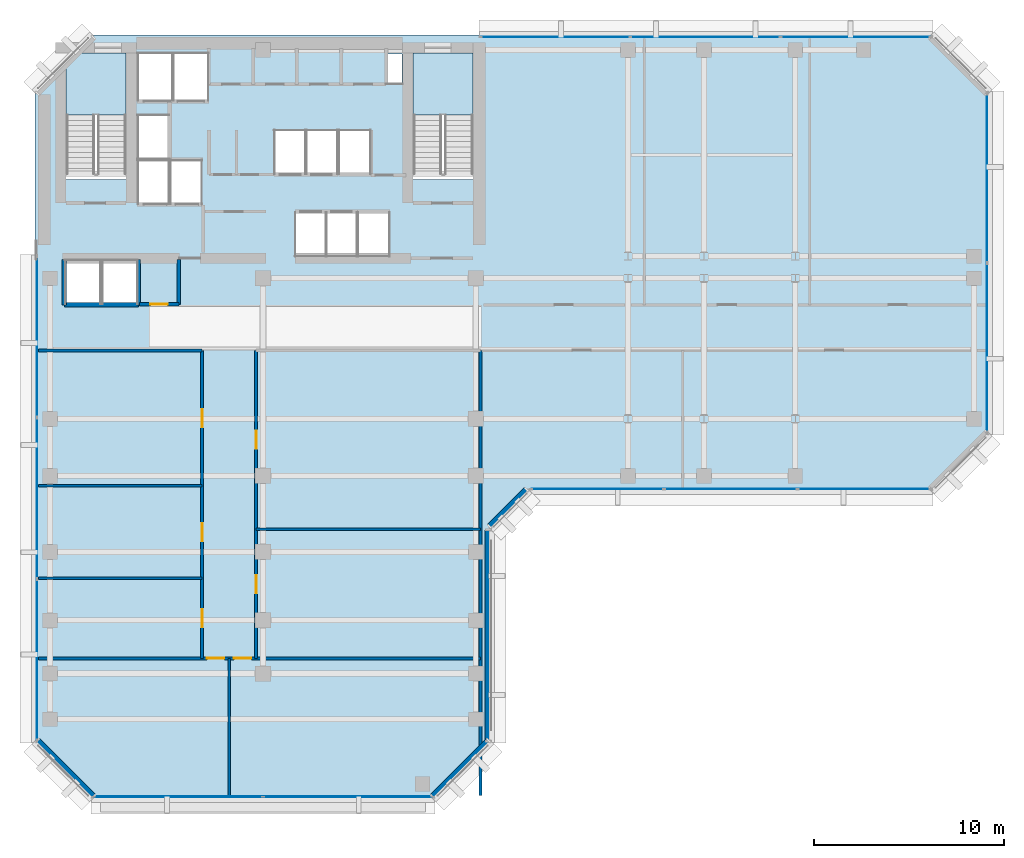
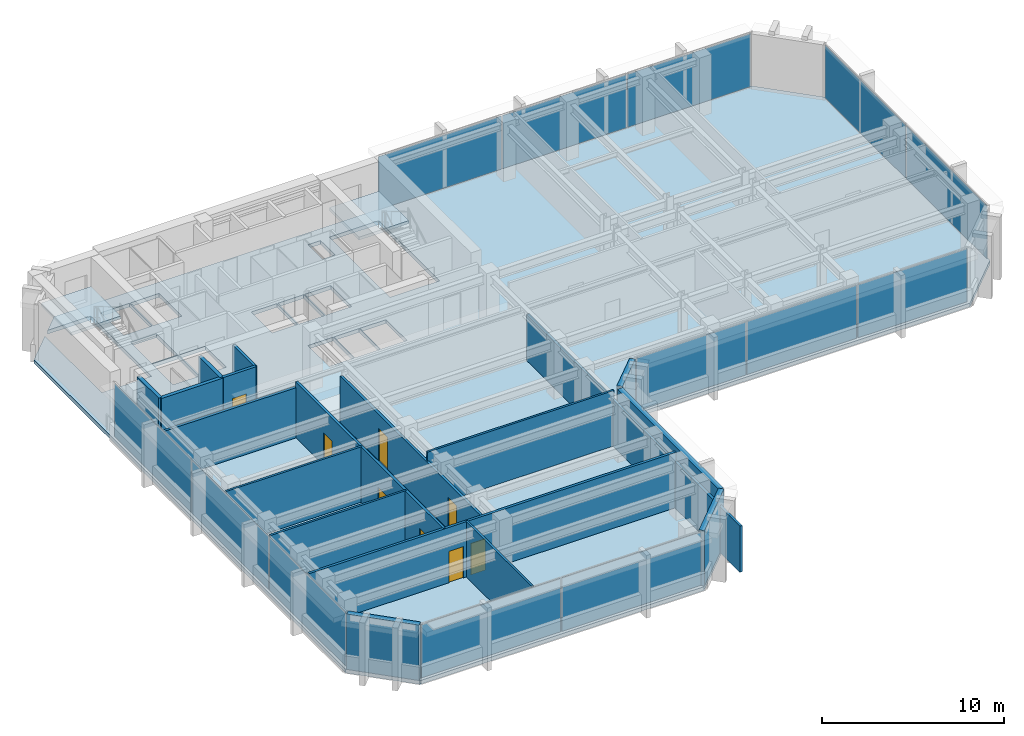
# One storey, part 6 of 12: 18 walls, 13 plates, 8 doors, 3 slabs, 8 openings, 7 elements without a shape of their own.
"""IFC4 building model written with IfcOpenShell, lengths in metres."""

from ifc_helpers import new_model, si_unit, direction, frame, frame_2d, origin, origin_2d, place, context, subcontext, project, spatial, polyline, rectangle, outline, extrude, material, layer, layer_set, type_object, element, fill, aggregate, save


model = new_model("IFC4")

# Units and contexts
model_context = context("Model", 3, precision=1e-05, world=origin(), true_north=direction((0.0, 1.0)))
body_context = subcontext(model_context, "Body", "Model", "MODEL_VIEW")
ifc_project = project(units=[si_unit("LENGTHUNIT", "METRE"), si_unit("AREAUNIT", "SQUARE_METRE"), si_unit("VOLUMEUNIT", "CUBIC_METRE"), si_unit("PLANEANGLEUNIT", "RADIAN"), si_unit("MASSUNIT", "GRAM", prefix="KILO")], contexts=[model_context])

# Site, building, storey
site_placement = place(None, origin())
site = spatial("IfcSite", under=ifc_project, at=site_placement, CompositionType="ELEMENT")
building_placement = place(site_placement, origin())
building = spatial("IfcBuilding", under=site, at=building_placement, Name="Kefirva Bronze Tower", CompositionType="ELEMENT")
storey_placement = place(building_placement, frame((0.0, 0.0, 203.280029296875)))
storey = spatial("IfcBuildingStorey", under=building, at=storey_placement, Name="L49", CompositionType="ELEMENT", Elevation=203.280029296875)

# Stair, slab
ifc_material_1 = material(Name="Concrete C40/50", Category="concrete")
stair_type = type_object("IfcStairType", Name="RC Dogleg Protected Stair 24R", PredefinedType="HALF_TURN_STAIR", material=ifc_material_1)
stair_1_placement = place(storey_placement, origin())
stair_1 = element("IfcStair", 1, at=stair_1_placement, inside=storey, type_object=stair_type, Name="L49 Protected Exit Stair 1", PredefinedType="HALF_TURN_STAIR")
ifc_layer_1 = layer(ifc_material_1, 0.199951171875, Name="Concrete C40/50")
ifc_layer_set_1 = layer_set([ifc_layer_1], Name="Concrete C40/50")
slab_type_1 = type_object("IfcSlabType", Name="RC Stair Landing Slab 200mm", PredefinedType="LANDING", material=ifc_layer_set_1)
slab_1_placement = place(storey_placement, frame((0.0, 0.0, 1.780029296875)))
slab_1 = element("IfcSlab", 2, at=slab_1_placement, type_object=slab_type_1, Name="ST-1 landing 1", PredefinedType="LANDING", context=body_context, shape_type="SweptSolid", body=[
    extrude(outline(polyline([(4.800048828125, 41.780029296875), (4.800048828125, 45.050048828125), (1.64990234375, 45.050048828125), (1.64990234375, 41.780029296875), (4.800048828125, 41.780029296875)])), origin(), (0.0, 0.0, 1.0), 0.199951171875),
])
aggregate(stair_1, [slab_1])

stair_2_placement = place(storey_placement, origin())
stair_2 = element("IfcStair", 3, at=stair_2_placement, inside=storey, type_object=stair_type, Name="L49 Protected Exit Stair 2", PredefinedType="HALF_TURN_STAIR")
slab_2_placement = place(storey_placement, frame((0.0, 0.0, 1.780029296875)))
slab_2 = element("IfcSlab", 4, at=slab_2_placement, type_object=slab_type_1, Name="ST-2 landing 1", PredefinedType="LANDING", context=body_context, shape_type="SweptSolid", body=[
    extrude(outline(polyline([(23.050048828125, 41.780029296875), (23.050048828125, 45.050048828125), (19.89990234375, 45.050048828125), (19.89990234375, 41.780029296875), (23.050048828125, 41.780029296875)])), origin(), (0.0, 0.0, 1.0), 0.199951171875),
])
aggregate(stair_2, [slab_2])

# Slab
ifc_layer_2 = layer(ifc_material_1, 0.25, Name="Concrete C40/50")
ifc_layer_set_2 = layer_set([ifc_layer_2], Name="Concrete C40/50")
slab_type_2 = type_object("IfcSlabType", Name="RC Tower Floor Slab 250mm", PredefinedType="FLOOR", material=ifc_layer_set_2)
slab_3_placement = place(storey_placement, frame((0.0, 0.0, -0.25)))
element("IfcSlab", 5, at=slab_3_placement, inside=storey, type_object=slab_type_2, Name="L49 Structural Floor Slab", PredefinedType="FLOOR", context=body_context, shape_type="SweptSolid", body=[
    extrude(outline(polyline([(0.0, 8.800048828125), (0.0, 43.0), (1.64990234375, 44.64990234375), (1.64990234375, 38.39990234375), (4.800048828125, 38.39990234375), (4.800048828125, 45.050048828125), (2.050048828125, 45.050048828125), (3.0, 46.0), (47.199951171875, 46.0), (50.199951171875, 43.0), (50.199951171875, 25.0), (47.199951171875, 22.0), (26.0, 22.0), (24.0, 20.0), (24.0, 8.800048828125), (21.0, 5.800048828125), (3.0, 5.800048828125), (0.0, 8.800048828125)]), holes=[polyline([(23.050048828125, 38.39990234375), (23.050048828125, 45.050048828125), (19.89990234375, 45.050048828125), (19.89990234375, 38.39990234375), (23.050048828125, 38.39990234375)]), polyline([(19.320068359375, 43.419921875), (19.320068359375, 45.0), (18.52001953125, 45.0), (18.52001953125, 43.419921875), (19.320068359375, 43.419921875)]), polyline([(18.64990234375, 34.35009765625), (18.64990234375, 36.64990234375), (17.0, 36.64990234375), (17.0, 34.35009765625), (18.64990234375, 34.35009765625)]), polyline([(17.64990234375, 38.679931640625), (17.64990234375, 40.97998046875), (16.0, 40.97998046875), (16.0, 38.679931640625), (17.64990234375, 38.679931640625)]), polyline([(16.949951171875, 34.35009765625), (16.949951171875, 36.64990234375), (15.35009765625, 36.64990234375), (15.35009765625, 34.35009765625), (16.949951171875, 34.35009765625)]), polyline([(15.929931640625, 38.679931640625), (15.929931640625, 40.97998046875), (14.300048828125, 40.97998046875), (14.300048828125, 38.679931640625), (15.929931640625, 38.679931640625)]), polyline([(15.300048828125, 34.35009765625), (15.300048828125, 36.64990234375), (13.699951171875, 36.64990234375), (13.699951171875, 34.35009765625), (15.300048828125, 34.35009765625)]), polyline([(14.22998046875, 38.679931640625), (14.22998046875, 40.97998046875), (12.60009765625, 40.97998046875), (12.60009765625, 38.679931640625), (14.22998046875, 38.679931640625)]), polyline([(9.1201171875, 42.550048828125), (9.1201171875, 45.050048828125), (7.300048828125, 45.050048828125), (7.300048828125, 42.550048828125), (9.1201171875, 42.550048828125)]), polyline([(8.780029296875, 37.10009765625), (8.780029296875, 39.39990234375), (7.139892578125, 39.39990234375), (7.139892578125, 37.10009765625), (8.780029296875, 37.10009765625)]), polyline([(7.239990234375, 42.550048828125), (7.239990234375, 45.050048828125), (5.419921875, 45.050048828125), (5.419921875, 42.550048828125), (7.239990234375, 42.550048828125)]), polyline([(7.06005859375, 37.10009765625), (7.06005859375, 39.39990234375), (5.419921875, 39.39990234375), (5.419921875, 37.10009765625), (7.06005859375, 37.10009765625)]), polyline([(7.06005859375, 39.47998046875), (7.06005859375, 41.780029296875), (5.419921875, 41.780029296875), (5.419921875, 39.47998046875), (7.06005859375, 39.47998046875)]), polyline([(5.39990234375, 31.85009765625), (5.39990234375, 34.14990234375), (3.550048828125, 34.14990234375), (3.550048828125, 31.85009765625), (5.39990234375, 31.85009765625)]), polyline([(3.449951171875, 31.85009765625), (3.449951171875, 34.14990234375), (1.60009765625, 34.14990234375), (1.60009765625, 31.85009765625), (3.449951171875, 31.85009765625)])]), origin(), (0.0, 0.0, 1.0), 0.25),
])

# Curtain wall, plates
ifc_material_2 = material(Name="Bronze anodised aluminium", Category="aluminium")
ifc_layer_3 = layer(ifc_material_2, 0.179931640625, Name="Bronze anodised aluminium")
ifc_layer_set_3 = layer_set([ifc_layer_3], Name="Bronze anodised aluminium")
curtain_wall_type = type_object("IfcCurtainWallType", Name="Unitised Bronze Ribbon Curtain Wall Zone 3", PredefinedType="USERDEFINED", material=ifc_layer_set_3)
curtain_wall_1_placement = place(storey_placement, origin())
curtain_wall_1 = element("IfcCurtainWall", 6, at=curtain_wall_1_placement, inside=storey, type_object=curtain_wall_type, Name="L49 Curtain Wall 1", ObjectType="UNITISED CURTAIN WALL", PredefinedType="USERDEFINED")
ifc_material_3 = material(Name="Laminated low-E double glazing", Category="glass")
ifc_layer_4 = layer(ifc_material_3, 0.031982421875, Name="Laminated low-E double glazing")
ifc_layer_set_4 = layer_set([ifc_layer_4], Name="Laminated low-E double glazing")
plate_type = type_object("IfcPlateType", Name="Solar-Control Low-E Vision Panel 32mm", PredefinedType="CURTAIN_PANEL", material=ifc_layer_set_4)
plate_1_placement = place(storey_placement, frame((7.546142578125, 5.919921875, 0.074951171875), z_axis=(0.0, 0.0, 1.0), x_axis=(1.0, 0.0, 0.0)))
plate_1 = element("IfcPlate", 7, at=plate_1_placement, type_object=plate_type, Name="CW-03 panel 1.1", PredefinedType="CURTAIN_PANEL", context=body_context, shape_type="SweptSolid", body=[
    extrude(rectangle(XDim=8.83251953125, YDim=0.031982421875, at=origin_2d()), origin(), (0.0, 0.0, 1.0), 3.56005859375),
])
plate_2_placement = place(storey_placement, frame((16.453857421875, 5.919921875, 0.074951171875), z_axis=(0.0, 0.0, 1.0), x_axis=(1.0, 0.0, 0.0)))
plate_2 = element("IfcPlate", 8, at=plate_2_placement, type_object=plate_type, Name="CW-03 panel 2.1", PredefinedType="CURTAIN_PANEL", context=body_context, shape_type="SweptSolid", body=[
    extrude(rectangle(XDim=8.83251953125, YDim=0.031982421875, at=origin_2d()), origin(), (0.0, 0.0, 1.0), 3.56005859375),
])
aggregate(curtain_wall_1, [plate_1, plate_2])

curtain_wall_2_placement = place(storey_placement, origin())
curtain_wall_2 = element("IfcCurtainWall", 9, at=curtain_wall_2_placement, inside=storey, type_object=curtain_wall_type, Name="L49 Curtain Wall 2", ObjectType="UNITISED CURTAIN WALL", PredefinedType="USERDEFINED")
plate_3_placement = place(storey_placement, frame((29.5888671875, 22.1201171875, 0.074951171875), z_axis=(0.0, 0.0, 1.0), x_axis=(1.0, 0.0, 0.0)))
plate_3 = element("IfcPlate", 10, at=plate_3_placement, type_object=plate_type, Name="CW-03 panel 1.1", PredefinedType="CURTAIN_PANEL", context=body_context, shape_type="SweptSolid", body=[
    extrude(rectangle(XDim=6.91748046875, YDim=0.031982421875, at=origin_2d()), origin(), (0.0, 0.0, 1.0), 3.56005859375),
])
plate_4_placement = place(storey_placement, frame((36.60009765625, 22.1201171875, 0.074951171875), z_axis=(0.0, 0.0, 1.0), x_axis=(1.0, 0.0, 0.0)))
plate_4 = element("IfcPlate", 11, at=plate_4_placement, type_object=plate_type, Name="CW-03 panel 2.1", PredefinedType="CURTAIN_PANEL", context=body_context, shape_type="SweptSolid", body=[
    extrude(rectangle(XDim=6.955078125, YDim=0.031982421875, at=origin_2d()), origin(), (0.0, 0.0, 1.0), 3.56005859375),
])
plate_5_placement = place(storey_placement, frame((43.611328125, 22.1201171875, 0.074951171875), z_axis=(0.0, 0.0, 1.0), x_axis=(1.0, 0.0, 0.0)))
plate_5 = element("IfcPlate", 12, at=plate_5_placement, type_object=plate_type, Name="CW-03 panel 3.1", PredefinedType="CURTAIN_PANEL", context=body_context, shape_type="SweptSolid", body=[
    extrude(rectangle(XDim=6.91748046875, YDim=0.031982421875, at=origin_2d()), origin(), (0.0, 0.0, 1.0), 3.56005859375),
])
aggregate(curtain_wall_2, [plate_3, plate_4, plate_5])

curtain_wall_3_placement = place(storey_placement, origin())
curtain_wall_3 = element("IfcCurtainWall", 13, at=curtain_wall_3_placement, inside=storey, type_object=curtain_wall_type, Name="L49 Curtain Wall 3", ObjectType="UNITISED CURTAIN WALL", PredefinedType="USERDEFINED")
plate_6_placement = place(storey_placement, frame((50.080078125, 29.546142578125, 0.074951171875), z_axis=(0.0, 0.0, 1.0), x_axis=(0.0, 1.0, 0.0)))
plate_6 = element("IfcPlate", 14, at=plate_6_placement, type_object=plate_type, Name="CW-03 panel 1.1", PredefinedType="CURTAIN_PANEL", context=body_context, shape_type="SweptSolid", body=[
    extrude(rectangle(XDim=8.83251953125, YDim=0.031982421875, at=origin_2d()), origin(), (0.0, 0.0, 1.0), 3.56005859375),
])
plate_7_placement = place(storey_placement, frame((50.080078125, 38.453857421875, 0.074951171875), z_axis=(0.0, 0.0, 1.0), x_axis=(0.0, 1.0, 0.0)))
plate_7 = element("IfcPlate", 15, at=plate_7_placement, type_object=plate_type, Name="CW-03 panel 2.1", PredefinedType="CURTAIN_PANEL", context=body_context, shape_type="SweptSolid", body=[
    extrude(rectangle(XDim=8.83251953125, YDim=0.031982421875, at=origin_2d()), origin(), (0.0, 0.0, 1.0), 3.56005859375),
])
aggregate(curtain_wall_3, [plate_6, plate_7])

curtain_wall_4_placement = place(storey_placement, origin())
curtain_wall_4 = element("IfcCurtainWall", 16, at=curtain_wall_4_placement, inside=storey, type_object=curtain_wall_type, Name="L49 Curtain Wall 4", ObjectType="UNITISED CURTAIN WALL", PredefinedType="USERDEFINED")
plate_8_placement = place(storey_placement, frame((43.169677734375, 45.8798828125, 0.074951171875), z_axis=(0.0, 0.0, 1.0), x_axis=(-1.0, 0.0, 0.0)))
plate_8 = element("IfcPlate", 17, at=plate_8_placement, type_object=plate_type, Name="CW-03 panel 1.1", PredefinedType="CURTAIN_PANEL", context=body_context, shape_type="SweptSolid", body=[
    extrude(rectangle(XDim=7.80078125, YDim=0.031982421875, at=origin_2d()), origin(), (0.0, 0.0, 1.0), 3.56005859375),
])
plate_9_placement = place(storey_placement, frame((35.27490234375, 45.8798828125, 0.074951171875), z_axis=(0.0, 0.0, 1.0), x_axis=(-1.0, 0.0, 0.0)))
plate_9 = element("IfcPlate", 18, at=plate_9_placement, type_object=plate_type, Name="CW-03 panel 2.1", PredefinedType="CURTAIN_PANEL", context=body_context, shape_type="SweptSolid", body=[
    extrude(rectangle(XDim=7.83837890625, YDim=0.031982421875, at=origin_2d()), origin(), (0.0, 0.0, 1.0), 3.56005859375),
])
plate_10_placement = place(storey_placement, frame((27.38037109375, 45.8798828125, 0.074951171875), z_axis=(0.0, 0.0, 1.0), x_axis=(-1.0, 0.0, 0.0)))
plate_10 = element("IfcPlate", 19, at=plate_10_placement, type_object=plate_type, Name="CW-03 panel 3.1", PredefinedType="CURTAIN_PANEL", context=body_context, shape_type="SweptSolid", body=[
    extrude(rectangle(XDim=7.80078125, YDim=0.031982421875, at=origin_2d()), origin(), (0.0, 0.0, 1.0), 3.56005859375),
])
aggregate(curtain_wall_4, [plate_8, plate_9, plate_10])

curtain_wall_5_placement = place(storey_placement, origin())
curtain_wall_5 = element("IfcCurtainWall", 20, at=curtain_wall_5_placement, inside=storey, type_object=curtain_wall_type, Name="L49 Curtain Wall 5", ObjectType="UNITISED CURTAIN WALL", PredefinedType="USERDEFINED")
plate_11_placement = place(storey_placement, frame((0.1201171875, 30.11962890625, 0.074951171875), z_axis=(0.0, 0.0, 1.0), x_axis=(0.0, -1.0, 0.0)))
plate_11 = element("IfcPlate", 21, at=plate_11_placement, type_object=plate_type, Name="CW-03 panel 1.1", PredefinedType="CURTAIN_PANEL", context=body_context, shape_type="SweptSolid", body=[
    extrude(rectangle(XDim=8.40087890625, YDim=0.031982421875, at=origin_2d()), origin(), (0.0, 0.0, 1.0), 3.56005859375),
])
plate_12_placement = place(storey_placement, frame((0.1201171875, 21.625, 0.074951171875), z_axis=(0.0, 0.0, 1.0), x_axis=(0.0, -1.0, 0.0)))
plate_12 = element("IfcPlate", 22, at=plate_12_placement, type_object=plate_type, Name="CW-03 panel 2.1", PredefinedType="CURTAIN_PANEL", context=body_context, shape_type="SweptSolid", body=[
    extrude(rectangle(XDim=8.438232421875, YDim=0.031982421875, at=origin_2d()), origin(), (0.0, 0.0, 1.0), 3.56005859375),
])
plate_13_placement = place(storey_placement, frame((0.1201171875, 13.13037109375, 0.074951171875), z_axis=(0.0, 0.0, 1.0), x_axis=(0.0, -1.0, 0.0)))
plate_13 = element("IfcPlate", 23, at=plate_13_placement, type_object=plate_type, Name="CW-03 panel 3.1", PredefinedType="CURTAIN_PANEL", context=body_context, shape_type="SweptSolid", body=[
    extrude(rectangle(XDim=8.40087890625, YDim=0.031982421875, at=origin_2d()), origin(), (0.0, 0.0, 1.0), 3.56005859375),
])
aggregate(curtain_wall_5, [plate_11, plate_12, plate_13])

# Walls
ifc_material_4 = material(Name="Gypsum acoustic partition")
ifc_layer_5 = layer(ifc_material_4, 0.1298828125, Name="Gypsum acoustic partition")
ifc_layer_set_5 = layer_set([ifc_layer_5], Name="Gypsum acoustic partition")
wall_type_1 = type_object("IfcWallType", Name="Acoustic Office Partition 130mm", PredefinedType="PARTITIONING", material=ifc_layer_set_5)
wall_1_placement = place(storey_placement, frame((10.219970703125, 5.989990234375, 0.0), z_axis=(0.0, 0.0, 1.0), x_axis=(0.0, 1.0, 0.0)))
element("IfcWall", 24, at=wall_1_placement, inside=storey, type_object=wall_type_1, Name="L49 Partition W-L49-CAPDV", PredefinedType="PARTITIONING", context=body_context, shape_type="SweptSolid", body=[
    extrude(rectangle(XDim=7.2099609375, YDim=0.1298828125, at=frame_2d((3.60498046875, 0.0))), origin(), (0.0, 0.0, 1.0), 3.7099609375),
])
for number, where, z_axis, x_axis, name in (
    (25, (0.18994140625, 17.412109375, 0.0), (0.0, 0.0, 1.0), (1.0, 0.0, 0.0), "L49 Partition W-L49-SWD1"),
    (26, (0.18994140625, 22.27197265625, 0.0), (0.0, 0.0, 1.0), (1.0, 0.0, 0.0), "L49 Partition W-L49-SWD2"),
):
    element("IfcWall", number, at=place(storey_placement, frame(where, z_axis=z_axis, x_axis=x_axis)), inside=storey, type_object=wall_type_1, Name=name, PredefinedType="PARTITIONING", context=body_context, shape_type="SweptSolid", body=[
        extrude(rectangle(XDim=8.610107421875, YDim=0.1298828125, at=frame_2d((4.30517578125, 0.0))), origin(), (0.0, 0.0, 1.0), 3.7099609375),
    ])
wall_2_placement = place(storey_placement, frame((11.639892578125, 20.00390625, 0.0), z_axis=(0.0, 0.0, 1.0), x_axis=(1.0, 0.0, 0.0)))
element("IfcWall", 27, at=wall_2_placement, inside=storey, type_object=wall_type_1, Name="L49 Partition W-L49-SED1", PredefinedType="PARTITIONING", context=body_context, shape_type="SweptSolid", body=[
    extrude(rectangle(XDim=11.81005859375, YDim=0.1298828125, at=frame_2d((5.905029296875, 0.0))), origin(), (0.0, 0.0, 1.0), 3.7099609375),
])
ifc_material_5 = material(Name="Gypsum fireboard shaftwall")
ifc_layer_6 = layer(ifc_material_5, 0.219970703125, Name="Gypsum fireboard shaftwall")
ifc_layer_set_6 = layer_set([ifc_layer_6], Name="Gypsum fireboard shaftwall")
wall_type_2 = type_object("IfcWallType", Name="Fire-Rated Shaft Enclosure Wall 220mm", PredefinedType="PARTITIONING", material=ifc_layer_set_6)
wall_3_placement = place(storey_placement, frame((1.550048828125, 31.800048828125, 0.0), z_axis=(0.0, 0.0, 1.0), x_axis=(1.0, 0.0, 0.0)))
element("IfcWall", 28, at=wall_3_placement, inside=storey, type_object=wall_type_2, Name="L49 Partition W-L49-OBS", PredefinedType="PARTITIONING", context=body_context, shape_type="SweptSolid", body=[
    extrude(rectangle(XDim=3.89990234375, YDim=0.219970703125, at=frame_2d((1.949951171875, 0.0))), origin(), (0.0, 0.0, 1.0), 3.7099609375),
])
for number, where, z_axis, x_axis, name in (
    (29, (1.550048828125, 31.800048828125, 0.0), (0.0, 0.0, 1.0), (0.0, 1.0, 0.0), "L49 Partition W-L49-OBW"),
    (30, (5.449951171875, 31.800048828125, 0.0), (0.0, 0.0, 1.0), (0.0, 1.0, 0.0), "L49 Partition W-L49-OBE"),
):
    element("IfcWall", number, at=place(storey_placement, frame(where, z_axis=z_axis, x_axis=x_axis)), inside=storey, type_object=wall_type_2, Name=name, PredefinedType="PARTITIONING", context=body_context, shape_type="SweptSolid", body=[
        extrude(rectangle(XDim=2.3798828125, YDim=0.219970703125, at=frame_2d((1.18994140625, 0.0))), origin(), (0.0, 0.0, 1.0), 3.7099609375),
    ])
ifc_material_6 = material(Name="Precast concrete C40/50", Category="concrete")
ifc_layer_7 = layer(ifc_material_6, 0.320068359375, Name="Precast concrete C40/50")
ifc_layer_set_7 = layer_set([ifc_layer_7], Name="Precast concrete C40/50")
wall_type_3 = type_object("IfcWallType", Name="Precast Insulated Exterior Wall 320mm", PredefinedType="SOLIDWALL", material=ifc_layer_set_7)
wall_4_placement = place(storey_placement, frame((20.92578125, 5.951904296875, 0.0), z_axis=(0.0, 0.0, 1.0), x_axis=(0.707077242712, 0.707136318428, 0.0)))
element("IfcWall", 31, at=wall_4_placement, inside=storey, type_object=wall_type_3, Name="L49 Exterior Facade Wall 1", PredefinedType="SOLIDWALL", context=body_context, shape_type="SweptSolid", body=[
    extrude(rectangle(XDim=4.132568359375, YDim=0.320068359375, at=frame_2d((2.06640625, 0.0))), origin(), (0.0, 0.0, 1.0), 3.7099609375),
])
wall_5_placement = place(storey_placement, frame((23.840087890625, 8.85498046875, 0.0), z_axis=(0.0, 0.0, 1.0), x_axis=(0.0, 1.0, 0.0)))
element("IfcWall", 32, at=wall_5_placement, inside=storey, type_object=wall_type_3, Name="L49 Exterior Facade Wall 2", PredefinedType="SOLIDWALL", context=body_context, shape_type="SweptSolid", body=[
    extrude(rectangle(XDim=11.090087890625, YDim=0.320068359375, at=frame_2d((5.544921875, 0.0))), origin(), (0.0, 0.0, 1.0), 3.7099609375),
])
wall_6_placement = place(storey_placement, frame((23.92578125, 20.152099609375, 0.0), z_axis=(0.0, 0.0, 1.0), x_axis=(0.707106781187, 0.707106781187, 0.0)))
element("IfcWall", 33, at=wall_6_placement, inside=storey, type_object=wall_type_3, Name="L49 Exterior Facade Wall 3", PredefinedType="SOLIDWALL", context=body_context, shape_type="SweptSolid", body=[
    extrude(rectangle(XDim=2.71826171875, YDim=0.320068359375, at=frame_2d((1.359130859375, 0.0))), origin(), (0.0, 0.0, 1.0), 3.7099609375),
])
wall_7_placement = place(storey_placement, frame((0.152099609375, 8.874267578125, 0.0), z_axis=(0.0, 0.0, 1.0), x_axis=(0.707077242712, -0.707136318428, 0.0)))
element("IfcWall", 34, at=wall_7_placement, inside=storey, type_object=wall_type_3, Name="L49 Exterior Facade Wall 7", PredefinedType="SOLIDWALL", context=body_context, shape_type="SweptSolid", body=[
    extrude(rectangle(XDim=4.132568359375, YDim=0.320068359375, at=frame_2d((2.06640625, 0.0))), origin(), (0.0, 0.0, 1.0), 3.7099609375),
])

# Wall, openings, doors
ifc_layer_8 = layer(ifc_material_4, 0.159912109375, Name="Gypsum acoustic partition")
ifc_layer_set_8 = layer_set([ifc_layer_8], Name="Gypsum acoustic partition")
wall_type_4 = type_object("IfcWallType", Name="Protected Corridor Partition 160mm", PredefinedType="PARTITIONING", material=ifc_layer_set_8)
wall_8_placement = place(storey_placement, frame((8.800048828125, 13.199951171875, 0.0), z_axis=(0.0, 0.0, 1.0), x_axis=(0.0, 1.0, 0.0)))
wall_8 = element("IfcWall", 35, at=wall_8_placement, inside=storey, type_object=wall_type_4, Name="L49 Partition W-L49-SWCORW", PredefinedType="PARTITIONING", context=body_context, shape_type="SweptSolid", body=[
    extrude(rectangle(XDim=16.199951171875, YDim=0.159912109375, at=frame_2d((8.10009765625, 0.0))), origin(), (0.0, 0.0, 1.0), 3.7099609375),
])
opening_1_placement = place(wall_8_placement, frame((2.5810546875, 0.0, 0.0), z_axis=(0.0, 0.0, 1.0), x_axis=(-1.0, 0.0, 0.0)))
opening_1 = element("IfcOpeningElement", 36, at=opening_1_placement, cuts=wall_8, Name="Opening L49-D-SW1", PredefinedType="OPENING", context=body_context, shape_type="SweptSolid", body=[
    extrude(rectangle(XDim=0.949951171875, YDim=2.14990234375, at=frame_2d((0.47509765625, 1.074951171875))), frame((0.0, 0.08984375, 0.0), z_axis=(0.0, -1.0, 0.0), x_axis=(1.0, 0.0, 0.0)), (0.0, 0.0, 1.0), 0.179931640625),
])
opening_2_placement = place(wall_8_placement, frame((7.116943359375, 0.0, 0.0), z_axis=(0.0, 0.0, 1.0), x_axis=(-1.0, 0.0, 0.0)))
opening_2 = element("IfcOpeningElement", 37, at=opening_2_placement, cuts=wall_8, Name="Opening L49-D-SW2", PredefinedType="OPENING", context=body_context, shape_type="SweptSolid", body=[
    extrude(rectangle(XDim=0.949951171875, YDim=2.14990234375, at=frame_2d((0.47509765625, 1.074951171875))), frame((0.0, 0.08984375, 0.0), z_axis=(0.0, -1.0, 0.0), x_axis=(1.0, 0.0, 0.0)), (0.0, 0.0, 1.0), 0.179931640625),
])
opening_3_placement = place(wall_8_placement, frame((13.11083984375, 0.0, 0.0), z_axis=(0.0, 0.0, 1.0), x_axis=(-1.0, 0.0, 0.0)))
opening_3 = element("IfcOpeningElement", 38, at=opening_3_placement, cuts=wall_8, Name="Opening L49-D-SW3", PredefinedType="OPENING", context=body_context, shape_type="SweptSolid", body=[
    extrude(rectangle(XDim=0.949951171875, YDim=2.14990234375, at=frame_2d((0.47509765625, 1.074951171875))), frame((0.0, 0.08984375, 0.0), z_axis=(0.0, -1.0, 0.0), x_axis=(1.0, 0.0, 0.0)), (0.0, 0.0, 1.0), 0.179931640625),
])
ifc_material_7 = material(Name="Acoustic hardwood oak", Category="wood")
door_type_1 = type_object("IfcDoorType", Name="Office & Meeting Room Door 950x2150", OperationType="NOTDEFINED", PredefinedType="DOOR", material=ifc_material_7)
door_1_placement = place(opening_1_placement, origin())
door_1 = element("IfcDoor", 39, at=door_1_placement, inside=storey, type_object=door_type_1, Name="Door L49-D-SW1", OperationType="SINGLE_SWING_RIGHT", OverallHeight=2.14990234375, OverallWidth=0.949951171875, PredefinedType="DOOR", context=body_context, shape_type="SweptSolid", body=[
    extrude(rectangle(XDim=0.949951171875, YDim=2.14990234375, at=frame_2d((0.47509765625, 1.074951171875))), frame((0.0, 0.02490234375, 0.0), z_axis=(0.0, -1.0, 0.0), x_axis=(1.0, 0.0, 0.0)), (0.0, 0.0, 1.0), 0.050048828125),
])
fill(opening_1, door_1)
door_2_placement = place(opening_2_placement, origin())
door_2 = element("IfcDoor", 40, at=door_2_placement, inside=storey, type_object=door_type_1, Name="Door L49-D-SW2", OperationType="SINGLE_SWING_LEFT", OverallHeight=2.14990234375, OverallWidth=0.949951171875, PredefinedType="DOOR", context=body_context, shape_type="SweptSolid", body=[
    extrude(rectangle(XDim=0.949951171875, YDim=2.14990234375, at=frame_2d((0.47509765625, 1.074951171875))), frame((0.0, 0.02490234375, 0.0), z_axis=(0.0, -1.0, 0.0), x_axis=(1.0, 0.0, 0.0)), (0.0, 0.0, 1.0), 0.050048828125),
])
fill(opening_2, door_2)
door_3_placement = place(opening_3_placement, origin())
door_3 = element("IfcDoor", 41, at=door_3_placement, inside=storey, type_object=door_type_1, Name="Door L49-D-SW3", OperationType="SINGLE_SWING_RIGHT", OverallHeight=2.14990234375, OverallWidth=0.949951171875, PredefinedType="DOOR", context=body_context, shape_type="SweptSolid", body=[
    extrude(rectangle(XDim=0.949951171875, YDim=2.14990234375, at=frame_2d((0.47509765625, 1.074951171875))), frame((0.0, 0.02490234375, 0.0), z_axis=(0.0, -1.0, 0.0), x_axis=(1.0, 0.0, 0.0)), (0.0, 0.0, 1.0), 0.050048828125),
])
fill(opening_3, door_3)

wall_9_placement = place(storey_placement, frame((11.639892578125, 13.199951171875, 0.0), z_axis=(0.0, 0.0, 1.0), x_axis=(0.0, 1.0, 0.0)))
wall_9 = element("IfcWall", 42, at=wall_9_placement, inside=storey, type_object=wall_type_4, Name="L49 Partition W-L49-SECORE", PredefinedType="PARTITIONING", context=body_context, shape_type="SweptSolid", body=[
    extrude(rectangle(XDim=16.199951171875, YDim=0.159912109375, at=frame_2d((8.10009765625, 0.0))), origin(), (0.0, 0.0, 1.0), 3.094970703125),
])
opening_4_placement = place(wall_9_placement, frame((3.427001953125, 0.0, 0.0)))
opening_4 = element("IfcOpeningElement", 43, at=opening_4_placement, cuts=wall_9, Name="Opening L49-D-SE1", PredefinedType="OPENING", context=body_context, shape_type="SweptSolid", body=[
    extrude(rectangle(XDim=0.949951171875, YDim=2.14990234375, at=frame_2d((0.47509765625, 1.074951171875))), frame((0.0, 0.08984375, 0.0), z_axis=(0.0, -1.0, 0.0), x_axis=(1.0, 0.0, 0.0)), (0.0, 0.0, 1.0), 0.179931640625),
])
opening_5_placement = place(wall_9_placement, frame((11.027099609375, 0.0, 0.0)))
opening_5 = element("IfcOpeningElement", 44, at=opening_5_placement, cuts=wall_9, Name="Opening L49-D-SE2", PredefinedType="OPENING", context=body_context, shape_type="SweptSolid", body=[
    extrude(rectangle(XDim=0.949951171875, YDim=2.14990234375, at=frame_2d((0.47509765625, 1.074951171875))), frame((0.0, 0.08984375, 0.0), z_axis=(0.0, -1.0, 0.0), x_axis=(1.0, 0.0, 0.0)), (0.0, 0.0, 1.0), 0.179931640625),
])
door_4_placement = place(opening_4_placement, origin())
door_4 = element("IfcDoor", 45, at=door_4_placement, inside=storey, type_object=door_type_1, Name="Door L49-D-SE1", OperationType="SINGLE_SWING_LEFT", OverallHeight=2.14990234375, OverallWidth=0.949951171875, PredefinedType="DOOR", context=body_context, shape_type="SweptSolid", body=[
    extrude(rectangle(XDim=0.949951171875, YDim=2.14990234375, at=frame_2d((0.47509765625, 1.074951171875))), frame((0.0, 0.02490234375, 0.0), z_axis=(0.0, -1.0, 0.0), x_axis=(1.0, 0.0, 0.0)), (0.0, 0.0, 1.0), 0.050048828125),
])
fill(opening_4, door_4)
door_5_placement = place(opening_5_placement, origin())
door_5 = element("IfcDoor", 46, at=door_5_placement, inside=storey, type_object=door_type_1, Name="Door L49-D-SE2", OperationType="SINGLE_SWING_RIGHT", OverallHeight=2.14990234375, OverallWidth=0.949951171875, PredefinedType="DOOR", context=body_context, shape_type="SweptSolid", body=[
    extrude(rectangle(XDim=0.949951171875, YDim=2.14990234375, at=frame_2d((0.47509765625, 1.074951171875))), frame((0.0, 0.02490234375, 0.0), z_axis=(0.0, -1.0, 0.0), x_axis=(1.0, 0.0, 0.0)), (0.0, 0.0, 1.0), 0.050048828125),
])
fill(opening_5, door_5)

wall_10_placement = place(storey_placement, frame((0.18994140625, 13.199951171875, 0.0), z_axis=(0.0, 0.0, 1.0), x_axis=(1.0, 0.0, 0.0)))
wall_10 = element("IfcWall", 47, at=wall_10_placement, inside=storey, type_object=wall_type_4, Name="L49 Partition W-L49-SBEND", PredefinedType="PARTITIONING", context=body_context, shape_type="SweptSolid", body=[
    extrude(rectangle(XDim=23.260009765625, YDim=0.159912109375, at=frame_2d((11.6298828125, 0.0))), origin(), (0.0, 0.0, 1.0), 3.7099609375),
])
opening_6_placement = place(wall_10_placement, frame((8.860107421875, 0.0, 0.0)))
opening_6 = element("IfcOpeningElement", 48, at=opening_6_placement, cuts=wall_10, Name="Opening L49-D-SEND1", PredefinedType="OPENING", context=body_context, shape_type="SweptSolid", body=[
    extrude(rectangle(XDim=0.919921875, YDim=2.10009765625, at=frame_2d((0.4599609375, 1.050048828125))), frame((0.0, 0.08984375, 0.0), z_axis=(0.0, -1.0, 0.0), x_axis=(1.0, 0.0, 0.0)), (0.0, 0.0, 1.0), 0.179931640625),
])
opening_7_placement = place(wall_10_placement, frame((10.280029296875, 0.0, 0.0)))
opening_7 = element("IfcOpeningElement", 49, at=opening_7_placement, cuts=wall_10, Name="Opening L49-D-SEND2", PredefinedType="OPENING", context=body_context, shape_type="SweptSolid", body=[
    extrude(rectangle(XDim=0.919921875, YDim=2.10009765625, at=frame_2d((0.4599609375, 1.050048828125))), frame((0.0, 0.08984375, 0.0), z_axis=(0.0, -1.0, 0.0), x_axis=(1.0, 0.0, 0.0)), (0.0, 0.0, 1.0), 0.179931640625),
])
ifc_material_8 = material(Name="Moisture-resistant timber", Category="wood")
door_type_2 = type_object("IfcDoorType", Name="Accessible Sanitary & WC Door 920x2100", OperationType="NOTDEFINED", PredefinedType="DOOR", material=ifc_material_8)
door_6_placement = place(opening_6_placement, origin())
door_6 = element("IfcDoor", 50, at=door_6_placement, inside=storey, type_object=door_type_2, Name="Door L49-D-SEND1", OperationType="SINGLE_SWING_RIGHT", OverallHeight=2.10009765625, OverallWidth=0.919921875, PredefinedType="DOOR", context=body_context, shape_type="SweptSolid", body=[
    extrude(rectangle(XDim=0.919921875, YDim=2.10009765625, at=frame_2d((0.4599609375, 1.050048828125))), frame((0.0, 0.02490234375, 0.0), z_axis=(0.0, -1.0, 0.0), x_axis=(1.0, 0.0, 0.0)), (0.0, 0.0, 1.0), 0.050048828125),
])
fill(opening_6, door_6)
door_7_placement = place(opening_7_placement, origin())
door_7 = element("IfcDoor", 51, at=door_7_placement, inside=storey, type_object=door_type_2, Name="Door L49-D-SEND2", OperationType="SINGLE_SWING_LEFT", OverallHeight=2.10009765625, OverallWidth=0.919921875, PredefinedType="DOOR", context=body_context, shape_type="SweptSolid", body=[
    extrude(rectangle(XDim=0.919921875, YDim=2.10009765625, at=frame_2d((0.4599609375, 1.050048828125))), frame((0.0, 0.02490234375, 0.0), z_axis=(0.0, -1.0, 0.0), x_axis=(1.0, 0.0, 0.0)), (0.0, 0.0, 1.0), 0.050048828125),
])
fill(opening_7, door_7)

# Walls
wall_11_placement = place(storey_placement, frame((0.18994140625, 29.39990234375, 0.0), z_axis=(0.0, 0.0, 1.0), x_axis=(1.0, 0.0, 0.0)))
element("IfcWall", 52, at=wall_11_placement, inside=storey, type_object=wall_type_4, Name="L49 Partition W-L49-NWT", PredefinedType="PARTITIONING", context=body_context, shape_type="SweptSolid", body=[
    extrude(rectangle(XDim=8.610107421875, YDim=0.159912109375, at=frame_2d((4.30517578125, 0.0))), origin(), (0.0, 0.0, 1.0), 3.364990234375),
])
wall_12_placement = place(storey_placement, frame((23.449951171875, 5.989990234375, 0.0), z_axis=(0.0, 0.0, 1.0), x_axis=(0.0, 1.0, 0.0)))
element("IfcWall", 53, at=wall_12_placement, inside=storey, type_object=wall_type_4, Name="L49 Partition W-L49-SWEAST", PredefinedType="PARTITIONING", context=body_context, shape_type="SweptSolid", body=[
    extrude(rectangle(XDim=23.409912109375, YDim=0.159912109375, at=frame_2d((11.705078125, 0.0))), origin(), (0.0, 0.0, 1.0), 3.094970703125),
])

# Wall, opening, door
ifc_material_9 = material(Name="Moisture-resistant partition")
ifc_layer_9 = layer(ifc_material_9, 0.179931640625, Name="Moisture-resistant partition")
ifc_layer_set_9 = layer_set([ifc_layer_9], Name="Moisture-resistant partition")
wall_type_5 = type_object("IfcWallType", Name="Sanitary Plumbing Chase Wall 180mm", PredefinedType="PLUMBINGWALL", material=ifc_layer_set_9)
wall_13_placement = place(storey_placement, frame((5.5, 31.820068359375, 0.0), z_axis=(0.0, 0.0, 1.0), x_axis=(1.0, 0.0, 0.0)))
wall_13 = element("IfcWall", 54, at=wall_13_placement, inside=storey, type_object=wall_type_5, Name="L49 Partition W-L49-TCS", PredefinedType="PLUMBINGWALL", context=body_context, shape_type="SweptSolid", body=[
    extrude(rectangle(XDim=2.080078125, YDim=0.179931640625, at=frame_2d((1.0400390625, 0.0))), origin(), (0.0, 0.0, 1.0), 3.7099609375),
])
opening_8_placement = place(wall_13_placement, frame((1.47998046875, 0.0, 0.0), z_axis=(0.0, 0.0, 1.0), x_axis=(-1.0, 0.0, 0.0)))
opening_8 = element("IfcOpeningElement", 55, at=opening_8_placement, cuts=wall_13, Name="Opening L49-D-TCL1", PredefinedType="OPENING", context=body_context, shape_type="SweptSolid", body=[
    extrude(rectangle(XDim=0.89990234375, YDim=2.10009765625, at=frame_2d((0.449951171875, 1.050048828125))), frame((0.0, 0.10009765625, 0.0), z_axis=(0.0, -1.0, 0.0), x_axis=(1.0, 0.0, 0.0)), (0.0, 0.0, 1.0), 0.199951171875),
])
ifc_material_10 = material(Name="Painted galvanized steel", Category="steel")
door_type_3 = type_object("IfcDoorType", Name="Telecom & Meter Fire Door 900x2100 FD60S", OperationType="NOTDEFINED", PredefinedType="DOOR", material=ifc_material_10)
door_8_placement = place(opening_8_placement, origin())
door_8 = element("IfcDoor", 56, at=door_8_placement, inside=storey, type_object=door_type_3, Name="Door L49-D-TCL1", OperationType="SINGLE_SWING_RIGHT", OverallHeight=2.10009765625, OverallWidth=0.89990234375, PredefinedType="DOOR", context=body_context, shape_type="SweptSolid", body=[
    extrude(rectangle(XDim=0.89990234375, YDim=2.10009765625, at=frame_2d((0.449951171875, 1.050048828125))), frame((0.0, 0.02490234375, 0.0), z_axis=(0.0, -1.0, 0.0), x_axis=(1.0, 0.0, 0.0)), (0.0, 0.0, 1.0), 0.050048828125),
])
fill(opening_8, door_8)

# Wall
wall_14_placement = place(storey_placement, frame((7.580078125, 31.820068359375, 0.0), z_axis=(0.0, 0.0, 1.0), x_axis=(0.0, 1.0, 0.0)))
element("IfcWall", 57, at=wall_14_placement, inside=storey, type_object=wall_type_5, Name="L49 Partition W-L49-TCE", PredefinedType="PLUMBINGWALL", context=body_context, shape_type="SweptSolid", body=[
    extrude(rectangle(XDim=2.35986328125, YDim=0.179931640625, at=frame_2d((1.179931640625, 0.0))), origin(), (0.0, 0.0, 1.0), 3.7099609375),
])

save(model, "model.ifc")
